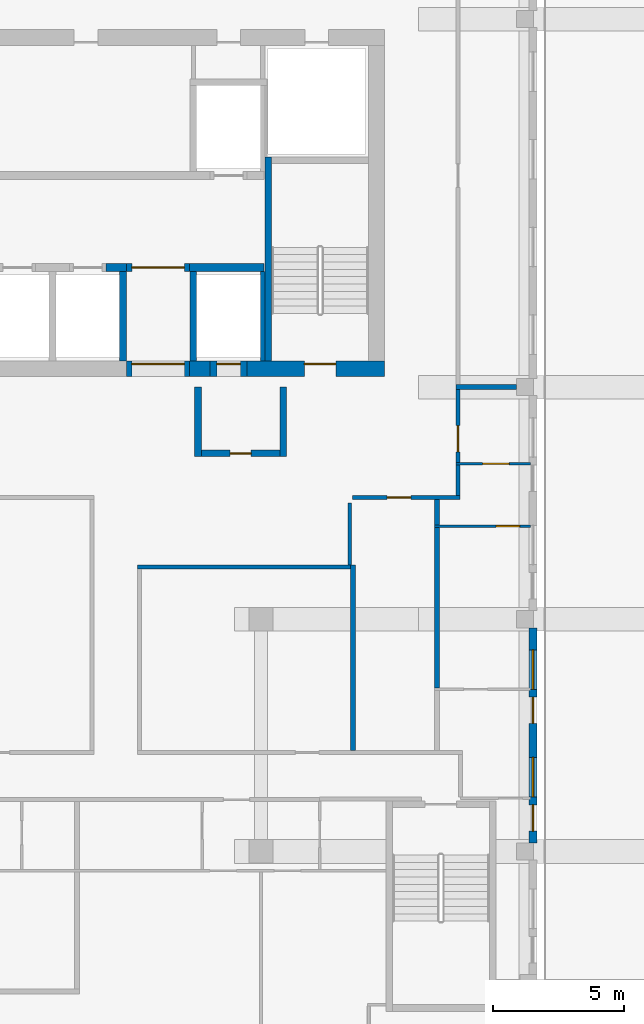
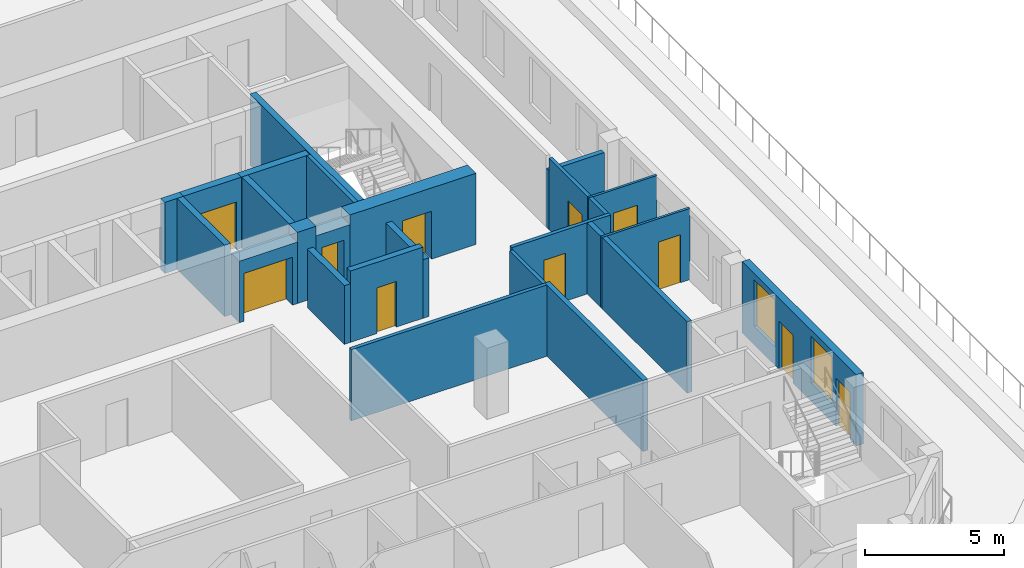
# One storey, part 6 of 13: 26 walls, 11 doors, 2 windows, 13 openings.
"""IFC4 building model written with IfcOpenShell, lengths in metres."""

from ifc_helpers import new_model, si_unit, direction, frame, frame_2d, origin, place, context, subcontext, project, spatial, rectangle, extrude, source, transform, mapped, material, layer, layer_set, type_object, element, fill, save


model = new_model("IFC4")

# Units and contexts
model_context = context("Model", 3, precision=1e-05, world=origin(), true_north=direction((0.0, 1.0)))
body_context = subcontext(model_context, "Body", "Model", "MODEL_VIEW")
ifc_project = project(units=[si_unit("LENGTHUNIT", "METRE"), si_unit("AREAUNIT", "SQUARE_METRE"), si_unit("VOLUMEUNIT", "CUBIC_METRE"), si_unit("PLANEANGLEUNIT", "RADIAN"), si_unit("MASSUNIT", "GRAM", prefix="KILO")], contexts=[model_context])

# Site, building, storey
site_placement = place(None, origin())
site = spatial("IfcSite", under=ifc_project, at=site_placement, CompositionType="ELEMENT")
building_placement = place(site_placement, origin())
building = spatial("IfcBuilding", under=site, at=building_placement, Name="Kilnfold Tower and Market Hall", CompositionType="ELEMENT")
storey_placement = place(building_placement, frame((0.0, 0.0, 267.0)))
storey = spatial("IfcBuildingStorey", under=building, at=storey_placement, Name="L65", CompositionType="ELEMENT", Elevation=267.0)

# Wall
ifc_material_1 = material(Name="Gypsum board on steel studs", Category="steel")
ifc_layer_1 = layer(ifc_material_1, 0.14990234375)
ifc_layer_set_1 = layer_set([ifc_layer_1], Name="Gypsum board on steel studs")
wall_type_1 = type_object("IfcWallType", Name="WALL CORRIDOR 150", PredefinedType="PARTITIONING", material=ifc_layer_set_1)
wall_1_placement = place(storey_placement, frame((20.5, 3.875, 0.0), z_axis=(0.0, 0.0, 1.0), x_axis=(0.0, 1.0, 0.0)))
element("IfcWall", 1, at=wall_1_placement, inside=storey, type_object=wall_type_1, Name="Partition LY41.18", PredefinedType="PARTITIONING", context=body_context, shape_type="SweptSolid", body=[
    extrude(rectangle(XDim=1.16796875, YDim=0.14990234375, at=frame_2d((0.583984375, 0.0))), origin(), (0.0, 0.0, 1.0), 3.1201171875),
])

# Wall, opening, door
wall_2_placement = place(storey_placement, frame((20.5, 5.123046875, 0.0), z_axis=(0.0, 0.0, 1.0), x_axis=(0.0, 1.0, 0.0)))
wall_2 = element("IfcWall", 2, at=wall_2_placement, inside=storey, type_object=wall_type_1, Name="Partition LY41.19", PredefinedType="PARTITIONING", context=body_context, shape_type="SweptSolid", body=[
    extrude(rectangle(XDim=2.786865234375, YDim=0.14990234375, at=frame_2d((1.3935546875, 0.0))), origin(), (0.0, 0.0, 1.0), 3.1201171875),
])
opening_1_placement = place(wall_2_placement, frame((0.4130859375, 0.0, 0.0)))
opening_1 = element("IfcOpeningElement", 3, at=opening_1_placement, cuts=wall_2, Name="Opening D1", PredefinedType="OPENING", context=body_context, shape_type="SweptSolid", body=[
    extrude(rectangle(XDim=1.0, YDim=2.10009765625, at=frame_2d((0.5, 1.050048828125))), frame((0.0, 0.0849609375, 0.0), z_axis=(0.0, -1.0, 0.0), x_axis=(1.0, 0.0, 0.0)), (0.0, 0.0, 1.0), 0.169921875),
])
ifc_material_2 = material(Name="Timber veneer door leaf in steel frame", Category="steel")
door_type_1 = type_object("IfcDoorType", Name="DOOR ENTRY 1000 X2100", OperationType="NOTDEFINED", PredefinedType="DOOR", material=ifc_material_2)
door_1_placement = place(opening_1_placement, origin())
door_1 = element("IfcDoor", 4, at=door_1_placement, inside=storey, type_object=door_type_1, Name="Door D1", OperationType="SINGLE_SWING_LEFT", OverallHeight=2.10009765625, OverallWidth=1.0, PredefinedType="DOOR", context=body_context, shape_type="SweptSolid", body=[
    extrude(rectangle(XDim=1.0, YDim=2.10009765625, at=frame_2d((0.5, 1.050048828125))), frame((0.0, 0.02490234375, 0.0), z_axis=(0.0, -1.0, 0.0), x_axis=(1.0, 0.0, 0.0)), (0.0, 0.0, 1.0), 0.050048828125),
])
fill(opening_1, door_1)

# Walls
wall_3_placement = place(storey_placement, frame((16.3798828125, 1.22509765625, 0.0), z_axis=(0.0, 0.0, 1.0), x_axis=(0.0, 1.0, 0.0)))
element("IfcWall", 5, at=wall_3_placement, inside=storey, type_object=wall_type_1, Name="Partition LY41.32", PredefinedType="PARTITIONING", context=body_context, shape_type="SweptSolid", body=[
    extrude(rectangle(XDim=2.367919921875, YDim=0.14990234375, at=frame_2d((1.18408203125, 0.0))), origin(), (0.0, 0.0, 1.0), 3.1201171875),
])
wall_4_placement = place(storey_placement, frame((8.304931640625, 1.14990234375, 0.0), z_axis=(0.0, 0.0, 1.0), x_axis=(1.0, 0.0, 0.0)))
element("IfcWall", 6, at=wall_4_placement, inside=storey, type_object=wall_type_1, Name="Partition LY41.33", PredefinedType="PARTITIONING", context=body_context, shape_type="SweptSolid", body=[
    extrude(rectangle(XDim=8.094970703125, YDim=0.14990234375, at=frame_2d((4.04736328125, 0.0))), origin(), (0.0, 0.0, 1.0), 3.1201171875),
])

# Wall, opening, door
wall_5_placement = place(storey_placement, frame((16.489990234375, 3.800048828125, 0.0), z_axis=(0.0, 0.0, 1.0), x_axis=(1.0, 0.0, 0.0)))
wall_5 = element("IfcWall", 7, at=wall_5_placement, inside=storey, type_object=wall_type_1, Name="Partition LY41.36", PredefinedType="PARTITIONING", context=body_context, shape_type="SweptSolid", body=[
    extrude(rectangle(XDim=4.0849609375, YDim=0.14990234375, at=frame_2d((2.04248046875, 0.0))), origin(), (0.0, 0.0, 1.0), 3.1201171875),
])
opening_2_placement = place(wall_5_placement, frame((1.31201171875, 0.0, 0.0)))
opening_2 = element("IfcOpeningElement", 8, at=opening_2_placement, cuts=wall_5, Name="Opening D2", PredefinedType="OPENING", context=body_context, shape_type="SweptSolid", body=[
    extrude(rectangle(XDim=0.89990234375, YDim=2.10009765625, at=frame_2d((0.449951171875, 1.050048828125))), frame((0.0, 0.0849609375, 0.0), z_axis=(0.0, -1.0, 0.0), x_axis=(1.0, 0.0, 0.0)), (0.0, 0.0, 1.0), 0.169921875),
])
ifc_material_3 = material(Name="Timber veneer door leaf in steel frame", Category="steel")
door_type_2 = type_object("IfcDoorType", Name="DOOR ROOM 900 X2100", OperationType="NOTDEFINED", PredefinedType="DOOR", material=ifc_material_3)
door_2_placement = place(opening_2_placement, origin())
door_2 = element("IfcDoor", 9, at=door_2_placement, inside=storey, type_object=door_type_2, Name="Door D2", OperationType="SINGLE_SWING_RIGHT", OverallHeight=2.10009765625, OverallWidth=0.89990234375, PredefinedType="DOOR", context=body_context, shape_type="SweptSolid", body=[
    extrude(rectangle(XDim=0.89990234375, YDim=2.10009765625, at=frame_2d((0.449951171875, 1.050048828125))), frame((0.0, 0.02490234375, 0.0), z_axis=(0.0, -1.0, 0.0), x_axis=(1.0, 0.0, 0.0)), (0.0, 0.0, 1.0), 0.050048828125),
])
fill(opening_2, door_2)

ifc_material_4 = material(Name="Gypsum board on steel studs", Category="steel")
ifc_layer_2 = layer(ifc_material_4, 0.10009765625)
ifc_layer_set_2 = layer_set([ifc_layer_2], Name="Gypsum board on steel studs")
wall_type_2 = type_object("IfcWallType", Name="WALL PARTITION 100", PredefinedType="PARTITIONING", material=ifc_layer_set_2)
wall_6_placement = place(storey_placement, frame((23.25, 2.7099609375, 0.0), z_axis=(0.0, 0.0, 1.0), x_axis=(-1.0, 0.0, 0.0)))
wall_6 = element("IfcWall", 10, at=wall_6_placement, inside=storey, type_object=wall_type_2, Name="Partition LY41.75", PredefinedType="PARTITIONING", context=body_context, shape_type="SweptSolid", body=[
    extrude(rectangle(XDim=3.64990234375, YDim=0.10009765625, at=frame_2d((1.824951171875, 0.0))), origin(), (0.0, 0.0, 1.0), 3.1201171875),
])
opening_3_placement = place(wall_6_placement, frame((0.404052734375, 0.0, 0.0)))
opening_3 = element("IfcOpeningElement", 11, at=opening_3_placement, cuts=wall_6, Name="Opening D2", PredefinedType="OPENING", context=body_context, shape_type="SweptSolid", body=[
    extrude(rectangle(XDim=0.89990234375, YDim=2.10009765625, at=frame_2d((0.449951171875, 1.050048828125))), frame((0.0, 0.06005859375, 0.0), z_axis=(0.0, -1.0, 0.0), x_axis=(1.0, 0.0, 0.0)), (0.0, 0.0, 1.0), 0.1201171875),
])
door_3_placement = place(opening_3_placement, origin())
door_3 = element("IfcDoor", 12, at=door_3_placement, inside=storey, type_object=door_type_2, Name="Door D2", OperationType="SINGLE_SWING_RIGHT", OverallHeight=2.10009765625, OverallWidth=0.89990234375, PredefinedType="DOOR", context=body_context, shape_type="SweptSolid", body=[
    extrude(rectangle(XDim=0.89990234375, YDim=2.10009765625, at=frame_2d((0.449951171875, 1.050048828125))), frame((0.0, 0.02490234375, 0.0), z_axis=(0.0, -1.0, 0.0), x_axis=(1.0, 0.0, 0.0)), (0.0, 0.0, 1.0), 0.050048828125),
])
fill(opening_3, door_3)

wall_7_placement = place(storey_placement, frame((23.25, 5.0830078125, 0.0), z_axis=(0.0, 0.0, 1.0), x_axis=(-1.0, 0.0, 0.0)))
wall_7 = element("IfcWall", 13, at=wall_7_placement, inside=storey, type_object=wall_type_2, Name="Partition LY41.77", PredefinedType="PARTITIONING", context=body_context, shape_type="SweptSolid", body=[
    extrude(rectangle(XDim=2.822998046875, YDim=0.10009765625, at=frame_2d((1.41162109375, 0.0))), origin(), (0.0, 0.0, 1.0), 3.1201171875),
])
opening_4_placement = place(wall_7_placement, frame((0.81005859375, 0.0, 0.0)))
opening_4 = element("IfcOpeningElement", 14, at=opening_4_placement, cuts=wall_7, Name="Opening D1", PredefinedType="OPENING", context=body_context, shape_type="SweptSolid", body=[
    extrude(rectangle(XDim=1.0, YDim=2.10009765625, at=frame_2d((0.5, 1.050048828125))), frame((0.0, 0.06005859375, 0.0), z_axis=(0.0, -1.0, 0.0), x_axis=(1.0, 0.0, 0.0)), (0.0, 0.0, 1.0), 0.1201171875),
])
door_4_placement = place(opening_4_placement, origin())
door_4 = element("IfcDoor", 15, at=door_4_placement, inside=storey, type_object=door_type_1, Name="Door D1", OperationType="SINGLE_SWING_RIGHT", OverallHeight=2.10009765625, OverallWidth=1.0, PredefinedType="DOOR", context=body_context, shape_type="SweptSolid", body=[
    extrude(rectangle(XDim=1.0, YDim=2.10009765625, at=frame_2d((0.5, 1.050048828125))), frame((0.0, 0.02490234375, 0.0), z_axis=(0.0, -1.0, 0.0), x_axis=(1.0, 0.0, 0.0)), (0.0, 0.0, 1.0), 0.050048828125),
])
fill(opening_4, door_4)

# Walls
ifc_material_5 = material(Name="Gypsum board on steel studs", Category="steel")
ifc_layer_3 = layer(ifc_material_5, 0.199951171875)
ifc_layer_set_3 = layer_set([ifc_layer_3], Name="Gypsum board on steel studs")
wall_type_3 = type_object("IfcWallType", Name="WALL PARTY 200", PredefinedType="PARTITIONING", material=ifc_layer_set_3)
wall_8_placement = place(storey_placement, frame((19.699951171875, -3.449951171875, 0.0), z_axis=(0.0, 0.0, 1.0), x_axis=(0.0, 1.0, 0.0)))
element("IfcWall", 16, at=wall_8_placement, inside=storey, type_object=wall_type_3, Name="Partition LY41.76", PredefinedType="PARTITIONING", context=body_context, shape_type="SweptSolid", body=[
    extrude(rectangle(XDim=6.10986328125, YDim=0.199951171875, at=frame_2d((3.054931640625, 0.0))), origin(), (0.0, 0.0, 1.0), 3.1201171875),
])
wall_9_placement = place(storey_placement, frame((19.699951171875, 2.760009765625, 0.0), z_axis=(0.0, 0.0, 1.0), x_axis=(0.0, 1.0, 0.0)))
element("IfcWall", 17, at=wall_9_placement, inside=storey, type_object=wall_type_3, Name="Partition LY41.78", PredefinedType="PARTITIONING", context=body_context, shape_type="SweptSolid", body=[
    extrude(rectangle(XDim=0.962890625, YDim=0.199951171875, at=frame_2d((0.4814453125, 0.0))), origin(), (0.0, 0.0, 1.0), 3.1201171875),
])
wall_10_placement = place(storey_placement, frame((20.427001953125, 8.0, 0.0), z_axis=(0.0, 0.0, 1.0), x_axis=(1.0, 0.0, 0.0)))
element("IfcWall", 18, at=wall_10_placement, inside=storey, type_object=wall_type_3, Name="Partition LY41.79", PredefinedType="PARTITIONING", context=body_context, shape_type="SweptSolid", body=[
    extrude(rectangle(XDim=2.298095703125, YDim=0.199951171875, at=frame_2d((1.14892578125, 0.0))), origin(), (0.0, 0.0, 1.0), 2.570068359375),
])
wall_11_placement = place(storey_placement, frame((16.5, -5.822998046875, 0.0), z_axis=(0.0, 0.0, 1.0), x_axis=(0.0, 1.0, 0.0)))
element("IfcWall", 19, at=wall_11_placement, inside=storey, type_object=wall_type_3, Name="Partition LY41.99", PredefinedType="PARTITIONING", context=body_context, shape_type="SweptSolid", body=[
    extrude(rectangle(XDim=7.048095703125, YDim=0.199951171875, at=frame_2d((3.52392578125, 0.0))), origin(), (0.0, 0.0, 1.0), 3.1201171875),
])
ifc_material_6 = material(Name="Concrete C50", Category="concrete")
ifc_layer_4 = layer(ifc_material_6, 0.25)
ifc_layer_set_4 = layer_set([ifc_layer_4], Name="Concrete C50")
wall_type_4 = type_object("IfcWallType", Name="CORE WALL 250 C50", PredefinedType="SHEAR", material=ifc_layer_set_4)
shared_shape_1 = source(origin(), body_context, "Body", "SweptSolid", [
    extrude(rectangle(XDim=7.75, YDim=0.25, at=frame_2d((3.875, 0.0))), origin(), (0.0, 0.0, 1.0), 3.1201171875),
])
wall_12_placement = place(storey_placement, frame((13.27490234375, 9.0, 0.0), z_axis=(0.0, 0.0, 1.0), x_axis=(0.0, 1.0, 0.0)))
element("IfcWall", 20, at=wall_12_placement, inside=storey, type_object=wall_type_4, Name="Stair enclosure ST2", PredefinedType="SHEAR", context=body_context, shape_type="MappedRepresentation", body=[
    mapped(shared_shape_1, transform((0.0, 0.0, 0.0))),
])
ifc_material_7 = material(Name="Concrete C50", Category="concrete")
ifc_layer_5 = layer(ifc_material_7, 0.300048828125)
ifc_layer_set_5 = layer_set([ifc_layer_5], Name="Concrete C50")
wall_type_5 = type_object("IfcWallType", Name="CORE WALL 300 C50", PredefinedType="SHEAR", material=ifc_layer_set_5)
shared_shape_2 = source(origin(), body_context, "Body", "SweptSolid", [
    extrude(rectangle(XDim=0.77978515625, YDim=0.300048828125, at=frame_2d((0.389892578125, 0.0))), origin(), (0.0, 0.0, 1.0), 3.1201171875),
])
wall_13_placement = place(storey_placement, frame((7.110107421875, 12.550048828125, 0.0), z_axis=(0.0, 0.0, 1.0), x_axis=(1.0, 0.0, 0.0)))
element("IfcWall", 21, at=wall_13_placement, inside=storey, type_object=wall_type_5, Name="Core spine wall", PredefinedType="SHEAR", context=body_context, shape_type="MappedRepresentation", body=[
    mapped(shared_shape_2, transform((0.0, 0.0, 0.0))),
])
shared_shape_3 = source(origin(), body_context, "Body", "SweptSolid", [
    extrude(rectangle(XDim=2.820068359375, YDim=0.300048828125, at=frame_2d((1.41015625, 0.0))), origin(), (0.0, 0.0, 1.0), 3.1201171875),
])
wall_14_placement = place(storey_placement, frame((10.2900390625, 12.550048828125, 0.0), z_axis=(0.0, 0.0, 1.0), x_axis=(1.0, 0.0, 0.0)))
element("IfcWall", 22, at=wall_14_placement, inside=storey, type_object=wall_type_5, Name="Core spine wall", PredefinedType="SHEAR", context=body_context, shape_type="MappedRepresentation", body=[
    mapped(shared_shape_3, transform((0.0, 0.0, 0.0))),
])

# Wall, opening, door
ifc_material_8 = material(Name="Concrete C50", Category="concrete")
ifc_layer_6 = layer(ifc_material_8, 0.60009765625)
ifc_layer_set_6 = layer_set([ifc_layer_6], Name="Concrete C50")
wall_type_6 = type_object("IfcWallType", Name="CORE WALL 600 C50", PredefinedType="SHEAR", material=ifc_layer_set_6)
shared_shape_4 = source(origin(), body_context, "Body", "SweptSolid", [
    extrude(rectangle(XDim=5.22998046875, YDim=0.60009765625, at=frame_2d((2.614990234375, 0.0))), origin(), (0.0, 0.0, 1.0), 3.1201171875),
])
wall_15_placement = place(storey_placement, frame((12.469970703125, 8.699951171875, 0.0), z_axis=(0.0, 0.0, 1.0), x_axis=(1.0, 0.0, 0.0)))
wall_15 = element("IfcWall", 23, at=wall_15_placement, inside=storey, type_object=wall_type_6, Name="Core outer wall south", PredefinedType="SHEAR", context=body_context, shape_type="MappedRepresentation", body=[
    mapped(shared_shape_4, transform((0.0, 0.0, 0.0))),
])
opening_5_placement = place(wall_15_placement, frame((2.179931640625, 0.0, 0.0)))
opening_5 = element("IfcOpeningElement", 24, at=opening_5_placement, cuts=wall_15, Name="Opening SD1", PredefinedType="OPENING", context=body_context, shape_type="SweptSolid", body=[
    extrude(rectangle(XDim=1.199951171875, YDim=2.10009765625, at=frame_2d((0.60009765625, 1.050048828125))), frame((0.0, 0.31005859375, 0.0), z_axis=(0.0, -1.0, 0.0), x_axis=(1.0, 0.0, 0.0)), (0.0, 0.0, 1.0), 0.6201171875),
])
ifc_material_9 = material(Name="Steel door set with fire-resisting leaf", Category="steel")
door_type_3 = type_object("IfcDoorType", Name="STAIR FLOOR DOOR 1200X2100", OperationType="NOTDEFINED", PredefinedType="DOOR", material=ifc_material_9)
door_5_placement = place(opening_5_placement, origin())
door_5 = element("IfcDoor", 25, at=door_5_placement, inside=storey, type_object=door_type_3, Name="Exit stair ST2 door", OperationType="DOUBLE_DOOR_SINGLE_SWING", OverallHeight=2.10009765625, OverallWidth=1.199951171875, PredefinedType="DOOR", context=body_context, shape_type="SweptSolid", body=[
    extrude(rectangle(XDim=1.199951171875, YDim=2.10009765625, at=frame_2d((0.60009765625, 1.050048828125))), frame((0.0, 0.205078125, 0.0), z_axis=(0.0, -1.0, 0.0), x_axis=(1.0, 0.0, 0.0)), (0.0, 0.0, 1.0), 0.050048828125),
])
fill(opening_5, door_5)

# Wall
shared_shape_5 = source(origin(), body_context, "Body", "SweptSolid", [
    extrude(rectangle(XDim=0.780029296875, YDim=0.60009765625, at=frame_2d((0.39013671875, 0.0))), origin(), (0.0, 0.0, 1.0), 3.1201171875),
])
wall_16_placement = place(storey_placement, frame((10.2900390625, 8.699951171875, 0.0), z_axis=(0.0, 0.0, 1.0), x_axis=(1.0, 0.0, 0.0)))
element("IfcWall", 26, at=wall_16_placement, inside=storey, type_object=wall_type_6, Name="Core outer wall south", PredefinedType="SHEAR", context=body_context, shape_type="MappedRepresentation", body=[
    mapped(shared_shape_5, transform((0.0, 0.0, 0.0))),
])

# Wall, openings, doors, windows
ifc_material_10 = material(Name="Precast concrete C50/60", Category="concrete")
ifc_layer_7 = layer(ifc_material_10, 0.300048828125)
ifc_layer_set_7 = layer_set([ifc_layer_7], Name="Precast concrete C50/60")
wall_type_7 = type_object("IfcWallType", Name="PRECAST WALL 300", PredefinedType="SOLIDWALL", material=ifc_layer_set_7)
shared_shape_6 = source(origin(), body_context, "Body", "SweptSolid", [
    extrude(rectangle(XDim=8.18359375, YDim=0.300048828125, at=frame_2d((4.091796875, 0.0))), origin(), (0.0, 0.0, 1.0), 3.1201171875),
])
wall_17_placement = place(storey_placement, frame((23.35009765625, -9.341796875, 0.0), z_axis=(0.0, 0.0, 1.0), x_axis=(0.0, 1.0, 0.0)))
wall_17 = element("IfcWall", 27, at=wall_17_placement, inside=storey, type_object=wall_type_7, Name="External wall L65 E", PredefinedType="SOLIDWALL", context=body_context, shape_type="MappedRepresentation", body=[
    mapped(shared_shape_6, transform((0.0, 0.0, 0.0))),
])
opening_6_placement = place(wall_17_placement, frame((1.75, 0.0, 0.800048828125)))
opening_6 = element("IfcOpeningElement", 28, at=opening_6_placement, cuts=wall_17, Name="Opening W5", PredefinedType="OPENING", context=body_context, shape_type="SweptSolid", body=[
    extrude(rectangle(XDim=1.5, YDim=2.050048828125, at=frame_2d((0.75, 1.02490234375))), frame((0.0, 0.16015625, 0.0), z_axis=(0.0, -1.0, 0.0), x_axis=(1.0, 0.0, 0.0)), (0.0, 0.0, 1.0), 0.320068359375),
])
opening_7_placement = place(wall_17_placement, frame((0.449951171875, 0.0, 0.0)))
opening_7 = element("IfcOpeningElement", 29, at=opening_7_placement, cuts=wall_17, Name="Opening BD1", PredefinedType="OPENING", context=body_context, shape_type="SweptSolid", body=[
    extrude(rectangle(XDim=1.0, YDim=2.10009765625, at=frame_2d((0.5, 1.050048828125))), frame((0.0, 0.16015625, 0.0), z_axis=(0.0, -1.0, 0.0), x_axis=(1.0, 0.0, 0.0)), (0.0, 0.0, 1.0), 0.320068359375),
])
opening_8_placement = place(wall_17_placement, frame((5.841796875, 0.0, 0.800048828125)))
opening_8 = element("IfcOpeningElement", 30, at=opening_8_placement, cuts=wall_17, Name="Opening W5", PredefinedType="OPENING", context=body_context, shape_type="SweptSolid", body=[
    extrude(rectangle(XDim=1.5, YDim=2.050048828125, at=frame_2d((0.75, 1.02490234375))), frame((0.0, 0.16015625, 0.0), z_axis=(0.0, -1.0, 0.0), x_axis=(1.0, 0.0, 0.0)), (0.0, 0.0, 1.0), 0.320068359375),
])
opening_9_placement = place(wall_17_placement, frame((4.541748046875, 0.0, 0.0)))
opening_9 = element("IfcOpeningElement", 31, at=opening_9_placement, cuts=wall_17, Name="Opening BD1", PredefinedType="OPENING", context=body_context, shape_type="SweptSolid", body=[
    extrude(rectangle(XDim=1.0, YDim=2.10009765625, at=frame_2d((0.5, 1.050048828125))), frame((0.0, 0.16015625, 0.0), z_axis=(0.0, -1.0, 0.0), x_axis=(1.0, 0.0, 0.0)), (0.0, 0.0, 1.0), 0.320068359375),
])
ifc_material_11 = material(Name="Aluminium frame and double glazing", Category="aluminium")
door_type_4 = type_object("IfcDoorType", Name="BALCONY DOOR 1000X2100", OperationType="NOTDEFINED", PredefinedType="DOOR", material=ifc_material_11)
door_6_placement = place(opening_7_placement, origin())
door_6 = element("IfcDoor", 32, at=door_6_placement, inside=storey, type_object=door_type_4, Name="Balcony door BD1 L65 E-1", OperationType="SINGLE_SWING_LEFT", OverallHeight=2.10009765625, OverallWidth=1.0, PredefinedType="DOOR", context=body_context, shape_type="SweptSolid", body=[
    extrude(rectangle(XDim=1.0, YDim=2.10009765625, at=frame_2d((0.5, 1.050048828125))), frame((0.0, 0.02490234375, 0.0), z_axis=(0.0, -1.0, 0.0), x_axis=(1.0, 0.0, 0.0)), (0.0, 0.0, 1.0), 0.050048828125),
])
fill(opening_7, door_6)
door_7_placement = place(opening_9_placement, origin())
door_7 = element("IfcDoor", 33, at=door_7_placement, inside=storey, type_object=door_type_4, Name="Balcony door BD1 L65 E-2", OperationType="SINGLE_SWING_RIGHT", OverallHeight=2.10009765625, OverallWidth=1.0, PredefinedType="DOOR", context=body_context, shape_type="SweptSolid", body=[
    extrude(rectangle(XDim=1.0, YDim=2.10009765625, at=frame_2d((0.5, 1.050048828125))), frame((0.0, 0.02490234375, 0.0), z_axis=(0.0, -1.0, 0.0), x_axis=(1.0, 0.0, 0.0)), (0.0, 0.0, 1.0), 0.050048828125),
])
fill(opening_9, door_7)
ifc_material_12 = material(Name="Aluminium frame and double glazing", Category="aluminium")
window_type = type_object("IfcWindowType", Name="WINDOW W5 1500X2050", PartitioningType="SINGLE_PANEL", PredefinedType="WINDOW", material=ifc_material_12)
window_1_placement = place(opening_6_placement, origin())
window_1 = element("IfcWindow", 34, at=window_1_placement, inside=storey, type_object=window_type, Name="Window W5 L65 E-1", OverallHeight=2.050048828125, OverallWidth=1.5, PartitioningType="SINGLE_PANEL", PredefinedType="WINDOW", context=body_context, shape_type="SweptSolid", body=[
    extrude(rectangle(XDim=1.5, YDim=2.050048828125, at=frame_2d((0.75, 1.02490234375))), frame((0.0, 0.030029296875, 0.0), z_axis=(0.0, -1.0, 0.0), x_axis=(1.0, 0.0, 0.0)), (0.0, 0.0, 1.0), 0.06005859375),
])
fill(opening_6, window_1)
window_2_placement = place(opening_8_placement, origin())
window_2 = element("IfcWindow", 35, at=window_2_placement, inside=storey, type_object=window_type, Name="Window W5 L65 E-2", OverallHeight=2.050048828125, OverallWidth=1.5, PartitioningType="SINGLE_PANEL", PredefinedType="WINDOW", context=body_context, shape_type="SweptSolid", body=[
    extrude(rectangle(XDim=1.5, YDim=2.050048828125, at=frame_2d((0.75, 1.02490234375))), frame((0.0, 0.030029296875, 0.0), z_axis=(0.0, -1.0, 0.0), x_axis=(1.0, 0.0, 0.0)), (0.0, 0.0, 1.0), 0.06005859375),
])
fill(opening_8, window_2)

# Wall, opening, door
ifc_material_13 = material(Name="Gypsum shaft wall system")
ifc_layer_8 = layer(ifc_material_13, 0.300048828125)
ifc_layer_set_8 = layer_set([ifc_layer_8], Name="Gypsum shaft wall system")
wall_type_8 = type_object("IfcWallType", Name="SHAFT WALL 300", PredefinedType="PARTITIONING", material=ifc_layer_set_8)
shared_shape_7 = source(origin(), body_context, "Body", "SweptSolid", [
    extrude(rectangle(XDim=2.400146484375, YDim=0.300048828125, at=frame_2d((1.2001953125, 0.0))), origin(), (0.0, 0.0, 1.0), 3.1201171875),
])
wall_18_placement = place(storey_placement, frame((7.889892578125, 12.550048828125, 0.0), z_axis=(0.0, 0.0, 1.0), x_axis=(1.0, 0.0, 0.0)))
wall_18 = element("IfcWall", 36, at=wall_18_placement, inside=storey, type_object=wall_type_8, Name="Lift shaft front wall", PredefinedType="PARTITIONING", context=body_context, shape_type="MappedRepresentation", body=[
    mapped(shared_shape_7, transform((0.0, 0.0, 0.0))),
])
opening_10_placement = place(wall_18_placement, frame((0.199951171875, 0.0, 0.0)))
opening_10 = element("IfcOpeningElement", 37, at=opening_10_placement, cuts=wall_18, Name="Opening VD2", PredefinedType="OPENING", context=body_context, shape_type="SweptSolid", body=[
    extrude(rectangle(XDim=2.0, YDim=2.10009765625, at=frame_2d((1.0, 1.050048828125))), frame((0.0, 0.16015625, 0.0), z_axis=(0.0, -1.0, 0.0), x_axis=(1.0, 0.0, 0.0)), (0.0, 0.0, 1.0), 0.320068359375),
])
ifc_material_14 = material(Name="Steel door set with fire-resisting leaf", Category="steel")
door_type_5 = type_object("IfcDoorType", Name="LIFT LOBBY ENTRANCE DOOR 2000X2100", OperationType="NOTDEFINED", PredefinedType="DOOR", material=ifc_material_14)
door_8_placement = place(opening_10_placement, origin())
door_8 = element("IfcDoor", 38, at=door_8_placement, inside=storey, type_object=door_type_5, Name="Lift lobby entrance door", OperationType="DOUBLE_DOOR_SINGLE_SWING", OverallHeight=2.10009765625, OverallWidth=2.0, PredefinedType="DOOR", context=body_context, shape_type="SweptSolid", body=[
    extrude(rectangle(XDim=2.0, YDim=2.10009765625, at=frame_2d((1.0, 1.050048828125))), frame((0.0, 0.02490234375, 0.0), z_axis=(0.0, -1.0, 0.0), x_axis=(1.0, 0.0, 0.0)), (0.0, 0.0, 1.0), 0.050048828125),
])
fill(opening_10, door_8)

ifc_material_15 = material(Name="Gypsum shaft wall system")
ifc_layer_9 = layer(ifc_material_15, 0.25)
ifc_layer_set_9 = layer_set([ifc_layer_9], Name="Gypsum shaft wall system")
wall_type_9 = type_object("IfcWallType", Name="LOBBY WALL 250", PredefinedType="PARTITIONING", material=ifc_layer_set_9)
shared_shape_8 = source(origin(), body_context, "Body", "SweptSolid", [
    extrude(rectangle(XDim=3.0, YDim=0.25, at=frame_2d((1.5, 0.0))), origin(), (0.0, 0.0, 1.0), 3.1201171875),
])
wall_19_placement = place(storey_placement, frame((10.72998046875, 5.47509765625, 0.0), z_axis=(0.0, 0.0, 1.0), x_axis=(1.0, 0.0, 0.0)))
wall_19 = element("IfcWall", 39, at=wall_19_placement, inside=storey, type_object=wall_type_9, Name="Firefighting lobby wall", PredefinedType="PARTITIONING", context=body_context, shape_type="MappedRepresentation", body=[
    mapped(shared_shape_8, transform((0.0, 0.0, 0.0))),
])
opening_11_placement = place(wall_19_placement, frame((1.10009765625, 0.0, 0.0)))
opening_11 = element("IfcOpeningElement", 40, at=opening_11_placement, cuts=wall_19, Name="Opening VD1", PredefinedType="OPENING", context=body_context, shape_type="SweptSolid", body=[
    extrude(rectangle(XDim=0.800048828125, YDim=2.0, at=frame_2d((0.39990234375, 1.0))), frame((0.0, 0.135009765625, 0.0), z_axis=(0.0, -1.0, 0.0), x_axis=(1.0, 0.0, 0.0)), (0.0, 0.0, 1.0), 0.27001953125),
])
ifc_material_16 = material(Name="Steel door set with fire-resisting leaf", Category="steel")
door_type_6 = type_object("IfcDoorType", Name="FIREFIGHTING LOBBY DOOR 800X2000", OperationType="NOTDEFINED", PredefinedType="DOOR", material=ifc_material_16)
door_9_placement = place(opening_11_placement, origin())
door_9 = element("IfcDoor", 41, at=door_9_placement, inside=storey, type_object=door_type_6, Name="Firefighting lobby door", OperationType="SINGLE_SWING_RIGHT", OverallHeight=2.0, OverallWidth=0.800048828125, PredefinedType="DOOR", context=body_context, shape_type="SweptSolid", body=[
    extrude(rectangle(XDim=0.800048828125, YDim=2.0, at=frame_2d((0.39990234375, 1.0))), frame((0.0, 0.02490234375, 0.0), z_axis=(0.0, -1.0, 0.0), x_axis=(1.0, 0.0, 0.0)), (0.0, 0.0, 1.0), 0.050048828125),
])
fill(opening_11, door_9)

# Walls
ifc_material_17 = material(Name="Gypsum shaft wall system")
ifc_layer_10 = layer(ifc_material_17, 0.25)
ifc_layer_set_10 = layer_set([ifc_layer_10], Name="Gypsum shaft wall system")
wall_type_10 = type_object("IfcWallType", Name="SHAFT WALL 250", PredefinedType="PARTITIONING", material=ifc_layer_set_10)
shared_shape_9 = source(origin(), body_context, "Body", "SweptSolid", [
    extrude(rectangle(XDim=3.39990234375, YDim=0.25, at=frame_2d((1.699951171875, 0.0))), origin(), (0.0, 0.0, 1.0), 3.1201171875),
])
for number, where, z_axis, x_axis, name in (
    (42, (10.429931640625, 9.0, 0.0), (0.0, 0.0, 1.0), (0.0, 1.0, 0.0), "Lift shaft wall"),
    (43, (7.75, 9.0, 0.0), (0.0, 0.0, 1.0), (0.0, 1.0, 0.0), "Lift shaft wall"),
):
    element("IfcWall", number, at=place(storey_placement, frame(where, z_axis=z_axis, x_axis=x_axis)), inside=storey, type_object=wall_type_10, Name=name, PredefinedType="PARTITIONING", context=body_context, shape_type="MappedRepresentation", body=[
        mapped(shared_shape_9, transform((0.0, 0.0, 0.0))),
    ])
ifc_material_18 = material(Name="Gypsum shaft wall system")
ifc_layer_11 = layer(ifc_material_18, 0.1650390625)
ifc_layer_set_11 = layer_set([ifc_layer_11], Name="Gypsum shaft wall system")
wall_type_11 = type_object("IfcWallType", Name="SHAFT WALL 165", PredefinedType="PARTITIONING", material=ifc_layer_set_11)
shared_shape_10 = source(origin(), body_context, "Body", "SweptSolid", [
    extrude(rectangle(XDim=3.39990234375, YDim=0.1650390625, at=frame_2d((1.699951171875, 0.0))), origin(), (0.0, 0.0, 1.0), 3.1201171875),
])
wall_20_placement = place(storey_placement, frame((13.0673828125, 9.0, 0.0), z_axis=(0.0, 0.0, 1.0), x_axis=(0.0, 1.0, 0.0)))
element("IfcWall", 44, at=wall_20_placement, inside=storey, type_object=wall_type_11, Name="Lift shaft wall", PredefinedType="PARTITIONING", context=body_context, shape_type="MappedRepresentation", body=[
    mapped(shared_shape_10, transform((0.0, 0.0, 0.0))),
])
shared_shape_11 = source(origin(), body_context, "Body", "SweptSolid", [
    extrude(rectangle(XDim=2.64990234375, YDim=0.25, at=frame_2d((1.324951171875, 0.0))), origin(), (0.0, 0.0, 1.0), 2.570068359375),
])
for number, where, z_axis, x_axis, name in (
    (45, (10.60498046875, 5.35009765625, 0.0), (0.0, 0.0, 1.0), (0.0, 1.0, 0.0), "Firefighting lobby wall"),
    (46, (13.85498046875, 5.35009765625, 0.0), (0.0, 0.0, 1.0), (0.0, 1.0, 0.0), "Firefighting lobby wall"),
):
    element("IfcWall", number, at=place(storey_placement, frame(where, z_axis=z_axis, x_axis=x_axis)), inside=storey, type_object=wall_type_9, Name=name, PredefinedType="PARTITIONING", context=body_context, shape_type="MappedRepresentation", body=[
        mapped(shared_shape_11, transform((0.0, 0.0, 0.0))),
    ])

# Wall, opening, door
ifc_material_19 = material(Name="Gypsum shaft wall system")
ifc_layer_12 = layer(ifc_material_19, 0.60009765625)
ifc_layer_set_12 = layer_set([ifc_layer_12], Name="Gypsum shaft wall system")
wall_type_12 = type_object("IfcWallType", Name="LOBBY WALL 600", PredefinedType="PARTITIONING", material=ifc_layer_set_12)
shared_shape_12 = source(origin(), body_context, "Body", "SweptSolid", [
    extrude(rectangle(XDim=1.39990234375, YDim=0.60009765625, at=frame_2d((0.699951171875, 0.0))), origin(), (0.0, 0.0, 1.0), 2.699951171875),
])
wall_21_placement = place(storey_placement, frame((11.070068359375, 8.699951171875, 0.0), z_axis=(0.0, 0.0, 1.0), x_axis=(1.0, 0.0, 0.0)))
wall_21 = element("IfcWall", 47, at=wall_21_placement, inside=storey, type_object=wall_type_12, Name="Core wall infill", PredefinedType="PARTITIONING", context=body_context, shape_type="MappedRepresentation", body=[
    mapped(shared_shape_12, transform((0.0, 0.0, 0.0))),
])
opening_12_placement = place(wall_21_placement, frame((0.25, 0.0, 0.0)))
opening_12 = element("IfcOpeningElement", 48, at=opening_12_placement, cuts=wall_21, Name="Opening LD1", PredefinedType="OPENING", context=body_context, shape_type="SweptSolid", body=[
    extrude(rectangle(XDim=0.89990234375, YDim=2.10009765625, at=frame_2d((0.449951171875, 1.050048828125))), frame((0.0, 0.31005859375, 0.0), z_axis=(0.0, -1.0, 0.0), x_axis=(1.0, 0.0, 0.0)), (0.0, 0.0, 1.0), 0.6201171875),
])
ifc_material_20 = material(Name="Steel door set with fire-resisting leaf", Category="steel")
door_type_7 = type_object("IfcDoorType", Name="FIREFIGHTING LANDING DOOR 900X2100", OperationType="NOTDEFINED", PredefinedType="DOOR", material=ifc_material_20)
door_10_placement = place(opening_12_placement, origin())
door_10 = element("IfcDoor", 49, at=door_10_placement, inside=storey, type_object=door_type_7, Name="Landing door FF3", OperationType="SLIDING_TO_LEFT", OverallHeight=2.10009765625, OverallWidth=0.89990234375, PredefinedType="DOOR", context=body_context, shape_type="SweptSolid", body=[
    extrude(rectangle(XDim=0.89990234375, YDim=2.10009765625, at=frame_2d((0.449951171875, 1.050048828125))), frame((0.0, 0.205078125, 0.0), z_axis=(0.0, -1.0, 0.0), x_axis=(1.0, 0.0, 0.0)), (0.0, 0.0, 1.0), 0.050048828125),
])
fill(opening_12, door_10)

shared_shape_13 = source(origin(), body_context, "Body", "SweptSolid", [
    extrude(rectangle(XDim=2.400146484375, YDim=0.60009765625, at=frame_2d((1.2001953125, 0.0))), origin(), (0.0, 0.0, 1.0), 2.699951171875),
])
wall_22_placement = place(storey_placement, frame((7.889892578125, 8.699951171875, 0.0), z_axis=(0.0, 0.0, 1.0), x_axis=(1.0, 0.0, 0.0)))
wall_22 = element("IfcWall", 50, at=wall_22_placement, inside=storey, type_object=wall_type_12, Name="Core wall infill", PredefinedType="PARTITIONING", context=body_context, shape_type="MappedRepresentation", body=[
    mapped(shared_shape_13, transform((0.0, 0.0, 0.0))),
])
opening_13_placement = place(wall_22_placement, frame((0.199951171875, 0.0, 0.0)))
opening_13 = element("IfcOpeningElement", 51, at=opening_13_placement, cuts=wall_22, Name="Opening VD2", PredefinedType="OPENING", context=body_context, shape_type="SweptSolid", body=[
    extrude(rectangle(XDim=2.0, YDim=2.10009765625, at=frame_2d((1.0, 1.050048828125))), frame((0.0, 0.31005859375, 0.0), z_axis=(0.0, -1.0, 0.0), x_axis=(1.0, 0.0, 0.0)), (0.0, 0.0, 1.0), 0.6201171875),
])
door_11_placement = place(opening_13_placement, origin())
door_11 = element("IfcDoor", 52, at=door_11_placement, inside=storey, type_object=door_type_5, Name="Lift lobby entrance door", OperationType="DOUBLE_DOOR_SINGLE_SWING", OverallHeight=2.10009765625, OverallWidth=2.0, PredefinedType="DOOR", context=body_context, shape_type="SweptSolid", body=[
    extrude(rectangle(XDim=2.0, YDim=2.10009765625, at=frame_2d((1.0, 1.050048828125))), frame((0.0, 0.205078125, 0.0), z_axis=(0.0, -1.0, 0.0), x_axis=(1.0, 0.0, 0.0)), (0.0, 0.0, 1.0), 0.050048828125),
])
fill(opening_13, door_11)

save(model, "model.ifc")
